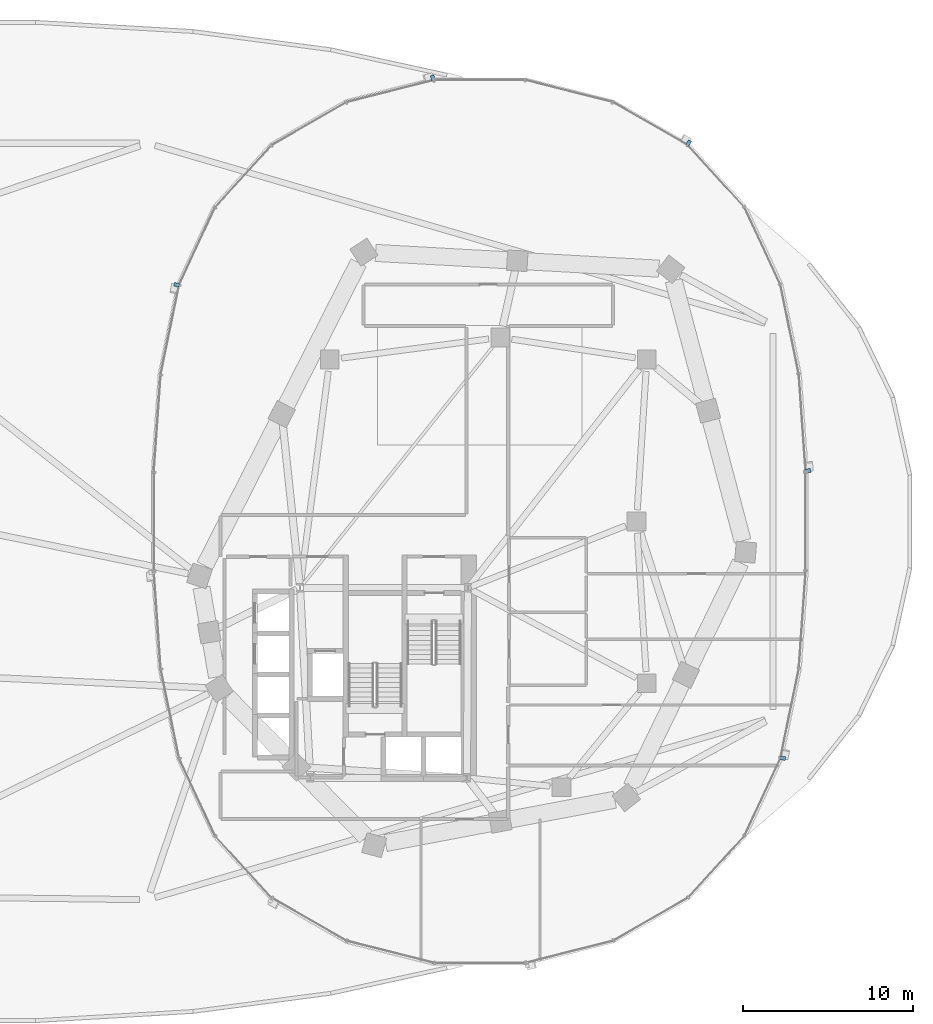
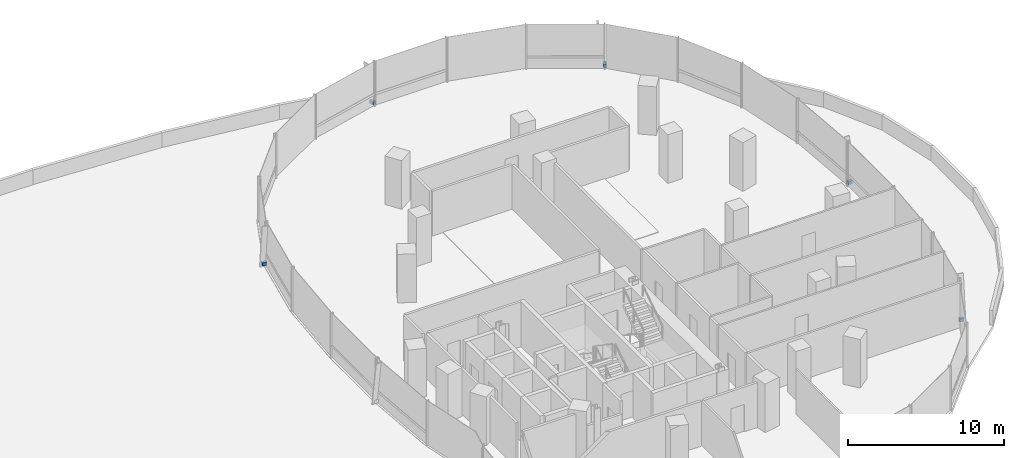
# One storey, part 24 of 28: 5 discrete accessories.
"""IFC4 building model written with IfcOpenShell, lengths in metres."""

from ifc_helpers import new_model, si_unit, direction, frame, origin, origin_2d, place, context, subcontext, project, spatial, rectangle, extrude, material, type_object, element, save


model = new_model("IFC4")

# Units and contexts
model_context = context("Model", 3, precision=1e-05, world=origin(), true_north=direction((0.0, 1.0)))
body_context = subcontext(model_context, "Body", "Model", "MODEL_VIEW")
ifc_project = project(units=[si_unit("LENGTHUNIT", "METRE"), si_unit("AREAUNIT", "SQUARE_METRE"), si_unit("VOLUMEUNIT", "CUBIC_METRE"), si_unit("PLANEANGLEUNIT", "RADIAN"), si_unit("MASSUNIT", "GRAM", prefix="KILO"), si_unit("THERMODYNAMICTEMPERATUREUNIT", "KELVIN"), si_unit("POWERUNIT", "WATT")], contexts=[model_context])

# Site, building, storey
site_placement = place(None, origin())
site = spatial("IfcSite", under=ifc_project, at=site_placement, CompositionType="ELEMENT")
building_placement = place(site_placement, origin())
building = spatial("IfcBuilding", under=site, at=building_placement, Name="Cundina Bronze Exchange", CompositionType="ELEMENT")
storey_placement = place(building_placement, frame((0.0, 0.0, 24.0)))
storey = spatial("IfcBuildingStorey", under=building, at=storey_placement, Name="L05", CompositionType="ELEMENT", Elevation=24.0)

# Discrete accessories
ifc_material = material(Name="Anodised Bronze Aluminium 6063-T6", Category="aluminium")
discrete_accessory_type = type_object("IfcDiscreteAccessoryType", Name="ACC-BRK-FIN", PredefinedType="BRACKET", material=ifc_material)
for number, where, z_axis, x_axis, name in (
    (1, (51.264404296875, 2.986083984375, 0.10009765625), (0.0, 0.0, 1.0), (-0.070278787473, 0.997527389113, 0.0), "L05 Fin Support Bracket 1"),
    (2, (44.259521484375, 22.21875, 0.10009765625), (0.0, 0.0, 1.0), (-0.867105478933, 0.498124571171, 0.0), "L05 Fin Support Bracket 5"),
    (3, (29.23974609375, 26.03173828125, 0.10009765625), (0.0, 0.0, 1.0), (-0.969488149345, -0.245138182011, 0.0), "L05 Fin Support Bracket 1"),
    (4, (14.211669921875, 13.8896484375, 0.10009765625), (0.0, 0.0, 1.0), (-0.201419845156, -0.979505000486, 0.0), "L05 Fin Support Bracket 5"),
    (5, (49.788330078125, -13.8896484375, 0.10009765625), (0.0, 0.0, 1.0), (0.201419845156, 0.979505000486, 0.0), "L05 Fin Support Bracket 5"),
):
    element("IfcDiscreteAccessory", number, at=place(storey_placement, frame(where, z_axis=z_axis, x_axis=x_axis)), inside=storey, type_object=discrete_accessory_type, Name=name, PredefinedType="BRACKET", context=body_context, shape_type="SweptSolid", body=[
        extrude(rectangle(XDim=0.219970703125, YDim=0.320068359375, at=origin_2d()), origin(), (0.0, 0.0, 1.0), 0.239990234375),
    ])

save(model, "model.ifc")
